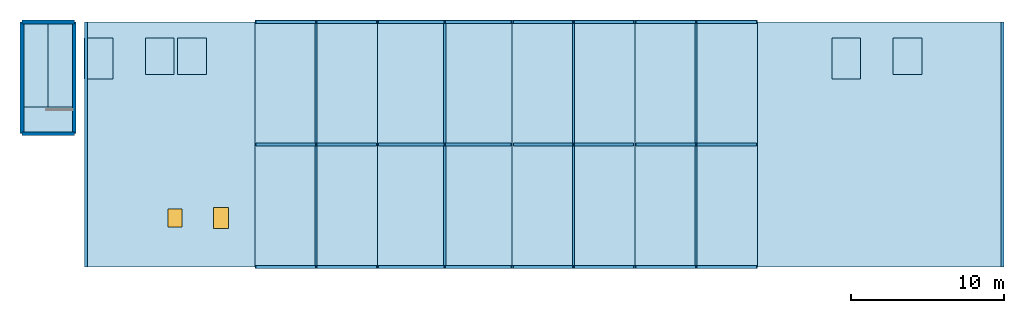
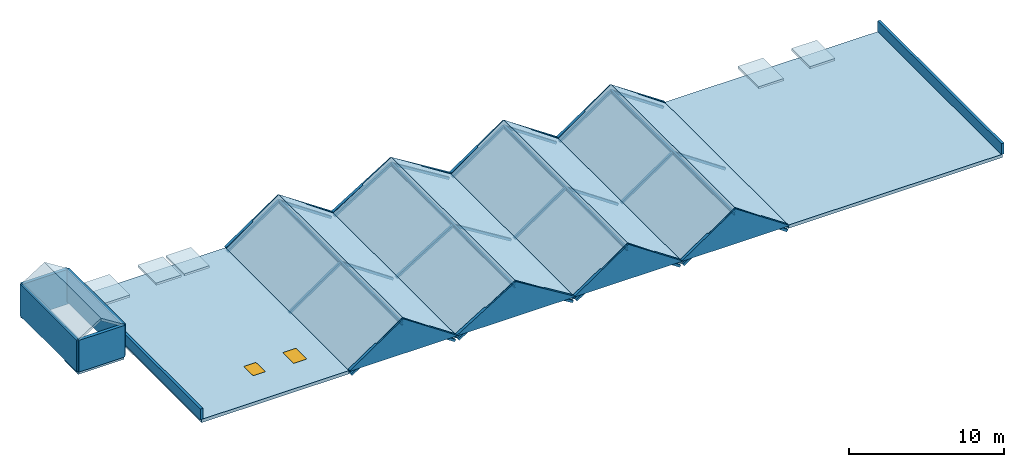
# One storey, part 1 of 2: 28 members, 18 slabs, 14 walls, 2 doors, 2 openings.
"""IFC4 building model written with IfcOpenShell, lengths in metres."""

from ifc_helpers import new_model, si_unit, direction, frame, frame_2d, origin, origin_2d, place, context, subcontext, project, spatial, polyline, rectangle, hollow_rectangle, i_section, outline, extrude, material, layer, layer_set, material_profile, profile_set, type_object, element, fill, save


model = new_model("IFC4")

# Units and contexts
model_context = context("Model", 3, precision=1e-05, world=origin(), true_north=direction((0.0, 1.0)))
body_context = subcontext(model_context, "Body", "Model", "MODEL_VIEW")
ifc_project = project(units=[si_unit("LENGTHUNIT", "METRE"), si_unit("AREAUNIT", "SQUARE_METRE"), si_unit("VOLUMEUNIT", "CUBIC_METRE"), si_unit("PLANEANGLEUNIT", "RADIAN"), si_unit("MASSUNIT", "GRAM", prefix="KILO")], contexts=[model_context])

# Site, building, storey
site_placement = place(None, origin())
site = spatial("IfcSite", under=ifc_project, at=site_placement, CompositionType="ELEMENT")
building_placement = place(site_placement, origin())
building = spatial("IfcBuilding", under=site, at=building_placement, Name="Tlaxcora Railside Police Headquarters", CompositionType="ELEMENT")
storey_placement = place(building_placement, frame((0.0, 0.0, 33.60009765625)))
storey = spatial("IfcBuildingStorey", under=building, at=storey_placement, Name="ROOF", CompositionType="ELEMENT", Elevation=33.60009765625)

# Members
ifc_material_1 = material(Name="Steel ASTM A992 Grade 50", Category="steel")
ifc_material_profile_1 = material_profile(ifc_material_1, i_section(OverallWidth=0.14599609375, OverallDepth=0.258056640625, WebThickness=0.006103515625, FlangeThickness=0.009033203125, at=origin_2d()), Name="W10X22")
ifc_profile_set_1 = profile_set([ifc_material_profile_1], Name="Steel ASTM A992 Grade 50")
member_type_1 = type_object("IfcMemberType", Name="Roof Purlin Member MB-93", PredefinedType="PURLIN", material=ifc_profile_set_1)
for number, where, z_axis, x_axis, name in (
    (1, (41.199951171875, 76.800048828125, 2.2998046875), (0.0, 1.0, 0.0), (-1.0, 0.0, 0.0), "V5 crest ridge purlin 1"),
    (2, (49.60009765625, 76.800048828125, 2.2998046875), (0.0, 1.0, 0.0), (-1.0, 0.0, 0.0), "V5 crest ridge purlin 2"),
    (3, (58.0, 76.800048828125, 2.2998046875), (0.0, 1.0, 0.0), (-1.0, 0.0, 0.0), "V5 crest ridge purlin 3"),
    (4, (66.0, 76.800048828125, 2.2998046875), (0.0, 1.0, 0.0), (-1.0, 0.0, 0.0), "V5 crest ridge purlin 4"),
):
    element("IfcMember", number, at=place(storey_placement, frame(where, z_axis=z_axis, x_axis=x_axis)), inside=storey, type_object=member_type_1, Name=name, PredefinedType="PURLIN", context=body_context, shape_type="SweptSolid", body=[
        extrude(i_section(OverallWidth=0.14599609375, OverallDepth=0.258056640625, WebThickness=0.006103515625, FlangeThickness=0.009033203125, at=origin_2d()), origin(), (0.0, 0.0, 1.0), 16.0),
    ])
ifc_material_profile_2 = material_profile(ifc_material_1, hollow_rectangle(XDim=0.179931640625, YDim=0.179931640625, WallThickness=0.010009765625, at=origin_2d()), Name="HSS180X180X10")
ifc_profile_set_2 = profile_set([ifc_material_profile_2], Name="Steel ASTM A992 Grade 50")
member_type_2 = type_object("IfcMemberType", Name="Truss Vertical Post MB-90", PredefinedType="POST", material=ifc_profile_set_2)
member_1_placement = place(storey_placement, frame((37.320068359375, 76.800048828125, -0.35009765625), z_axis=(0.825778552229, 0.0, 0.563994488163), x_axis=(0.0, 1.0, 0.0)))
element("IfcMember", 5, at=member_1_placement, inside=storey, type_object=member_type_2, Name="V5 crest rafter 1W", PredefinedType="POST", context=body_context, shape_type="SweptSolid", body=[
    extrude(hollow_rectangle(XDim=0.179931640625, YDim=0.179931640625, WallThickness=0.010009765625, at=origin_2d()), origin(), (0.0, 0.0, 1.0), 4.698486328125),
])
member_2_placement = place(storey_placement, frame((45.080078125, 76.800048828125, -0.35009765625), z_axis=(-0.825795079715, 0.0, 0.563970288506), x_axis=(0.0, -1.0, 0.0)))
element("IfcMember", 6, at=member_2_placement, inside=storey, type_object=member_type_2, Name="V5 crest rafter 1E", PredefinedType="POST", context=body_context, shape_type="SweptSolid", body=[
    extrude(hollow_rectangle(XDim=0.179931640625, YDim=0.179931640625, WallThickness=0.010009765625, at=origin_2d()), origin(), (0.0, 0.0, 1.0), 4.69873046875),
])
member_3_placement = place(storey_placement, frame((37.320068359375, 84.800048828125, -0.35009765625), z_axis=(0.825778552229, 0.0, 0.563994488163), x_axis=(0.0, 1.0, 0.0)))
element("IfcMember", 7, at=member_3_placement, inside=storey, type_object=member_type_2, Name="V5 crest rafter 1W", PredefinedType="POST", context=body_context, shape_type="SweptSolid", body=[
    extrude(hollow_rectangle(XDim=0.179931640625, YDim=0.179931640625, WallThickness=0.010009765625, at=origin_2d()), origin(), (0.0, 0.0, 1.0), 4.698486328125),
])
member_4_placement = place(storey_placement, frame((45.080078125, 84.800048828125, -0.35009765625), z_axis=(-0.825795079715, 0.0, 0.563970288506), x_axis=(0.0, -1.0, 0.0)))
element("IfcMember", 8, at=member_4_placement, inside=storey, type_object=member_type_2, Name="V5 crest rafter 1E", PredefinedType="POST", context=body_context, shape_type="SweptSolid", body=[
    extrude(hollow_rectangle(XDim=0.179931640625, YDim=0.179931640625, WallThickness=0.010009765625, at=origin_2d()), origin(), (0.0, 0.0, 1.0), 4.69873046875),
])
member_5_placement = place(storey_placement, frame((37.320068359375, 92.800048828125, -0.35009765625), z_axis=(0.825778552229, 0.0, 0.563994488163), x_axis=(0.0, 1.0, 0.0)))
element("IfcMember", 9, at=member_5_placement, inside=storey, type_object=member_type_2, Name="V5 crest rafter 1W", PredefinedType="POST", context=body_context, shape_type="SweptSolid", body=[
    extrude(hollow_rectangle(XDim=0.179931640625, YDim=0.179931640625, WallThickness=0.010009765625, at=origin_2d()), origin(), (0.0, 0.0, 1.0), 4.698486328125),
])
member_6_placement = place(storey_placement, frame((45.080078125, 92.800048828125, -0.35009765625), z_axis=(-0.825795079715, 0.0, 0.563970288506), x_axis=(0.0, -1.0, 0.0)))
element("IfcMember", 10, at=member_6_placement, inside=storey, type_object=member_type_2, Name="V5 crest rafter 1E", PredefinedType="POST", context=body_context, shape_type="SweptSolid", body=[
    extrude(hollow_rectangle(XDim=0.179931640625, YDim=0.179931640625, WallThickness=0.010009765625, at=origin_2d()), origin(), (0.0, 0.0, 1.0), 4.69873046875),
])
member_7_placement = place(storey_placement, frame((45.320068359375, 76.800048828125, -0.35009765625), z_axis=(0.850233104078, 0.0, 0.526406372236), x_axis=(0.0, 1.0, 0.0)))
element("IfcMember", 11, at=member_7_placement, inside=storey, type_object=member_type_2, Name="V5 crest rafter 2W", PredefinedType="POST", context=body_context, shape_type="SweptSolid", body=[
    extrude(hollow_rectangle(XDim=0.179931640625, YDim=0.179931640625, WallThickness=0.010009765625, at=origin_2d()), origin(), (0.0, 0.0, 1.0), 5.033935546875),
])
member_8_placement = place(storey_placement, frame((53.8798828125, 76.800048828125, -0.35009765625), z_axis=(-0.850219664041, 0.0, 0.526428079492), x_axis=(0.0, -1.0, 0.0)))
element("IfcMember", 12, at=member_8_placement, inside=storey, type_object=member_type_2, Name="V5 crest rafter 2E", PredefinedType="POST", context=body_context, shape_type="SweptSolid", body=[
    extrude(hollow_rectangle(XDim=0.179931640625, YDim=0.179931640625, WallThickness=0.010009765625, at=origin_2d()), origin(), (0.0, 0.0, 1.0), 5.03369140625),
])
member_9_placement = place(storey_placement, frame((45.320068359375, 84.800048828125, -0.35009765625), z_axis=(0.850233104078, 0.0, 0.526406372236), x_axis=(0.0, 1.0, 0.0)))
element("IfcMember", 13, at=member_9_placement, inside=storey, type_object=member_type_2, Name="V5 crest rafter 2W", PredefinedType="POST", context=body_context, shape_type="SweptSolid", body=[
    extrude(hollow_rectangle(XDim=0.179931640625, YDim=0.179931640625, WallThickness=0.010009765625, at=origin_2d()), origin(), (0.0, 0.0, 1.0), 5.033935546875),
])
member_10_placement = place(storey_placement, frame((53.8798828125, 84.800048828125, -0.35009765625), z_axis=(-0.850219664041, 0.0, 0.526428079492), x_axis=(0.0, -1.0, 0.0)))
element("IfcMember", 14, at=member_10_placement, inside=storey, type_object=member_type_2, Name="V5 crest rafter 2E", PredefinedType="POST", context=body_context, shape_type="SweptSolid", body=[
    extrude(hollow_rectangle(XDim=0.179931640625, YDim=0.179931640625, WallThickness=0.010009765625, at=origin_2d()), origin(), (0.0, 0.0, 1.0), 5.03369140625),
])
member_11_placement = place(storey_placement, frame((45.320068359375, 92.800048828125, -0.35009765625), z_axis=(0.850233104078, 0.0, 0.526406372236), x_axis=(0.0, 1.0, 0.0)))
element("IfcMember", 15, at=member_11_placement, inside=storey, type_object=member_type_2, Name="V5 crest rafter 2W", PredefinedType="POST", context=body_context, shape_type="SweptSolid", body=[
    extrude(hollow_rectangle(XDim=0.179931640625, YDim=0.179931640625, WallThickness=0.010009765625, at=origin_2d()), origin(), (0.0, 0.0, 1.0), 5.033935546875),
])
member_12_placement = place(storey_placement, frame((53.8798828125, 92.800048828125, -0.35009765625), z_axis=(-0.850219664041, 0.0, 0.526428079492), x_axis=(0.0, -1.0, 0.0)))
element("IfcMember", 16, at=member_12_placement, inside=storey, type_object=member_type_2, Name="V5 crest rafter 2E", PredefinedType="POST", context=body_context, shape_type="SweptSolid", body=[
    extrude(hollow_rectangle(XDim=0.179931640625, YDim=0.179931640625, WallThickness=0.010009765625, at=origin_2d()), origin(), (0.0, 0.0, 1.0), 5.03369140625),
])
for number, where, z_axis, x_axis, name in (
    (17, (54.1201171875, 76.800048828125, -0.35009765625), (0.825778552229, 0.0, 0.563994488163), (0.0, 1.0, 0.0), "V5 crest rafter 3W"),
    (18, (61.8798828125, 76.800048828125, -0.35009765625), (-0.825778552229, 0.0, 0.563994488163), (0.0, -1.0, 0.0), "V5 crest rafter 3E"),
    (19, (54.1201171875, 84.800048828125, -0.35009765625), (0.825778552229, 0.0, 0.563994488163), (0.0, 1.0, 0.0), "V5 crest rafter 3W"),
    (20, (61.8798828125, 84.800048828125, -0.35009765625), (-0.825778552229, 0.0, 0.563994488163), (0.0, -1.0, 0.0), "V5 crest rafter 3E"),
    (21, (54.1201171875, 92.800048828125, -0.35009765625), (0.825778552229, 0.0, 0.563994488163), (0.0, 1.0, 0.0), "V5 crest rafter 3W"),
    (22, (61.8798828125, 92.800048828125, -0.35009765625), (-0.825778552229, 0.0, 0.563994488163), (0.0, -1.0, 0.0), "V5 crest rafter 3E"),
    (23, (62.1201171875, 76.800048828125, -0.35009765625), (0.825778552229, 0.0, 0.563994488163), (0.0, 1.0, 0.0), "V5 crest rafter 4W"),
    (24, (69.8798828125, 76.800048828125, -0.35009765625), (-0.825778552229, 0.0, 0.563994488163), (0.0, -1.0, 0.0), "V5 crest rafter 4E"),
    (25, (62.1201171875, 84.800048828125, -0.35009765625), (0.825778552229, 0.0, 0.563994488163), (0.0, 1.0, 0.0), "V5 crest rafter 4W"),
    (26, (69.8798828125, 84.800048828125, -0.35009765625), (-0.825778552229, 0.0, 0.563994488163), (0.0, -1.0, 0.0), "V5 crest rafter 4E"),
    (27, (62.1201171875, 92.800048828125, -0.35009765625), (0.825778552229, 0.0, 0.563994488163), (0.0, 1.0, 0.0), "V5 crest rafter 4W"),
    (28, (69.8798828125, 92.800048828125, -0.35009765625), (-0.825778552229, 0.0, 0.563994488163), (0.0, -1.0, 0.0), "V5 crest rafter 4E"),
):
    element("IfcMember", number, at=place(storey_placement, frame(where, z_axis=z_axis, x_axis=x_axis)), inside=storey, type_object=member_type_2, Name=name, PredefinedType="POST", context=body_context, shape_type="SweptSolid", body=[
        extrude(hollow_rectangle(XDim=0.179931640625, YDim=0.179931640625, WallThickness=0.010009765625, at=origin_2d()), origin(), (0.0, 0.0, 1.0), 4.698486328125),
    ])

# Slabs
ifc_material_2 = material(Name="Concrete C40/50", Category="concrete")
ifc_layer_1 = layer(ifc_material_2, 0.2099609375, Name="Concrete C40/50")
ifc_layer_set_1 = layer_set([ifc_layer_1], Name="Concrete C40/50")
slab_type_1 = type_object("IfcSlabType", Name="Folded or Flat Roof Slab SL-40", PredefinedType="ROOF", material=ifc_layer_set_1)
slab_1_placement = place(storey_placement, frame((37.199951171875, 92.800048828125, 0.0), z_axis=(0.0, -1.0, 0.0), x_axis=(1.0, 0.0, 0.0)))
element("IfcSlab", 29, at=slab_1_placement, inside=storey, type_object=slab_type_1, Name="Operations crest roof 1 west facet", PredefinedType="ROOF", context=body_context, shape_type="SweptSolid", body=[
    extrude(outline(polyline([(0.0, -0.25634765625), (4.0, 2.54345703125), (4.0, 2.7998046875), (0.0, 0.0), (0.0, -0.25634765625)])), origin(), (0.0, 0.0, 1.0), 16.0),
])
slab_2_placement = place(storey_placement, frame((41.199951171875, 92.800048828125, 0.0), z_axis=(0.0, -1.0, 0.0), x_axis=(1.0, 0.0, 0.0)))
element("IfcSlab", 30, at=slab_2_placement, inside=storey, type_object=slab_type_1, Name="Operations crest roof 1 east facet", PredefinedType="ROOF", context=body_context, shape_type="SweptSolid", body=[
    extrude(outline(polyline([(0.0, 2.54345703125), (4.0, -0.25634765625), (4.0, 0.0), (0.0, 2.7998046875), (0.0, 2.54345703125)])), origin(), (0.0, 0.0, 1.0), 16.0),
])
slab_3_placement = place(storey_placement, frame((45.199951171875, 92.800048828125, 0.0), z_axis=(0.0, -1.0, 0.0), x_axis=(1.0, 0.0, 0.0)))
element("IfcSlab", 31, at=slab_3_placement, inside=storey, type_object=slab_type_1, Name="Operations crest roof 2 west facet", PredefinedType="ROOF", context=body_context, shape_type="SweptSolid", body=[
    extrude(outline(polyline([(0.0, -0.2490234375), (4.400146484375, 2.55078125), (4.400146484375, 2.7998046875), (0.0, 0.0), (0.0, -0.2490234375)])), origin(), (0.0, 0.0, 1.0), 16.0),
])
slab_4_placement = place(storey_placement, frame((49.60009765625, 92.800048828125, 0.0), z_axis=(0.0, -1.0, 0.0), x_axis=(1.0, 0.0, 0.0)))
element("IfcSlab", 32, at=slab_4_placement, inside=storey, type_object=slab_type_1, Name="Operations crest roof 2 east facet", PredefinedType="ROOF", context=body_context, shape_type="SweptSolid", body=[
    extrude(outline(polyline([(0.0, 2.55078125), (4.39990234375, -0.2490234375), (4.39990234375, 0.0), (0.0, 2.7998046875), (0.0, 2.55078125)])), origin(), (0.0, 0.0, 1.0), 16.0),
])
slab_5_placement = place(storey_placement, frame((54.0, 92.800048828125, 0.0), z_axis=(0.0, -1.0, 0.0), x_axis=(1.0, 0.0, 0.0)))
element("IfcSlab", 33, at=slab_5_placement, inside=storey, type_object=slab_type_1, Name="Operations crest roof 3 west facet", PredefinedType="ROOF", context=body_context, shape_type="SweptSolid", body=[
    extrude(outline(polyline([(0.0, -0.25634765625), (4.0, 2.54345703125), (4.0, 2.7998046875), (0.0, 0.0), (0.0, -0.25634765625)])), origin(), (0.0, 0.0, 1.0), 16.0),
])
slab_6_placement = place(storey_placement, frame((58.0, 92.800048828125, 0.0), z_axis=(0.0, -1.0, 0.0), x_axis=(1.0, 0.0, 0.0)))
element("IfcSlab", 34, at=slab_6_placement, inside=storey, type_object=slab_type_1, Name="Operations crest roof 3 east facet", PredefinedType="ROOF", context=body_context, shape_type="SweptSolid", body=[
    extrude(outline(polyline([(0.0, 2.54345703125), (4.0, -0.25634765625), (4.0, 0.0), (0.0, 2.7998046875), (0.0, 2.54345703125)])), origin(), (0.0, 0.0, 1.0), 16.0),
])
slab_7_placement = place(storey_placement, frame((62.0, 92.800048828125, 0.0), z_axis=(0.0, -1.0, 0.0), x_axis=(1.0, 0.0, 0.0)))
element("IfcSlab", 35, at=slab_7_placement, inside=storey, type_object=slab_type_1, Name="Operations crest roof 4 west facet", PredefinedType="ROOF", context=body_context, shape_type="SweptSolid", body=[
    extrude(outline(polyline([(0.0, -0.25634765625), (4.0, 2.54345703125), (4.0, 2.7998046875), (0.0, 0.0), (0.0, -0.25634765625)])), origin(), (0.0, 0.0, 1.0), 16.0),
])
slab_8_placement = place(storey_placement, frame((66.0, 92.800048828125, 0.0), z_axis=(0.0, -1.0, 0.0), x_axis=(1.0, 0.0, 0.0)))
element("IfcSlab", 36, at=slab_8_placement, inside=storey, type_object=slab_type_1, Name="Operations crest roof 4 east facet", PredefinedType="ROOF", context=body_context, shape_type="SweptSolid", body=[
    extrude(outline(polyline([(0.0, 2.54345703125), (4.0, -0.25634765625), (4.0, 0.0), (0.0, 2.7998046875), (0.0, 2.54345703125)])), origin(), (0.0, 0.0, 1.0), 16.0),
])
ifc_layer_2 = layer(ifc_material_2, 0.179931640625, Name="Concrete C40/50")
ifc_layer_set_2 = layer_set([ifc_layer_2], Name="Concrete C40/50")
slab_type_2 = type_object("IfcSlabType", Name="Folded or Flat Roof Slab SL-50", PredefinedType="ROOF", material=ifc_layer_set_2)
slab_9_placement = place(storey_placement, frame((22.0, 92.800048828125, 0.0), z_axis=(0.0, -1.0, 0.0), x_axis=(1.0, 0.0, 0.0)))
element("IfcSlab", 37, at=slab_9_placement, inside=storey, type_object=slab_type_2, Name="ST1 roof headhouse west gable facet", PredefinedType="ROOF", context=body_context, shape_type="SweptSolid", body=[
    extrude(outline(polyline([(0.0, 2.287109375), (1.7099609375, 3.366943359375), (1.7099609375, 3.579833984375), (0.0, 2.5), (0.0, 2.287109375)])), origin(), (0.0, 0.0, 1.0), 7.300048828125),
])
slab_10_placement = place(storey_placement, frame((23.7099609375, 92.800048828125, 0.0), z_axis=(0.0, -1.0, 0.0), x_axis=(1.0, 0.0, 0.0)))
element("IfcSlab", 38, at=slab_10_placement, inside=storey, type_object=slab_type_2, Name="ST1 roof headhouse east gable facet", PredefinedType="ROOF", context=body_context, shape_type="SweptSolid", body=[
    extrude(outline(polyline([(0.0, 3.366943359375), (1.7099609375, 2.287109375), (1.7099609375, 2.5), (0.0, 3.579833984375), (0.0, 3.366943359375)])), origin(), (0.0, 0.0, 1.0), 7.300048828125),
])
slab_11_placement = place(storey_placement, frame((0.0, 0.0, 1.599853515625)))
element("IfcSlab", 39, at=slab_11_placement, inside=storey, type_object=slab_type_2, Name="Lift FFL-01 shaft overrun cap slab", PredefinedType="ROOF", context=body_context, shape_type="SweptSolid", body=[
    extrude(outline(polyline([(26.06005859375, 89.06005859375), (27.93994140625, 89.06005859375), (27.93994140625, 91.739990234375), (26.06005859375, 91.739990234375), (26.06005859375, 89.06005859375)])), origin(), (0.0, 0.0, 1.0), 0.179931640625),
])
slab_12_placement = place(storey_placement, frame((0.0, 0.0, 1.599853515625)))
element("IfcSlab", 40, at=slab_12_placement, inside=storey, type_object=slab_type_2, Name="Lift PL-01 shaft overrun cap slab", PredefinedType="ROOF", context=body_context, shape_type="SweptSolid", body=[
    extrude(outline(polyline([(30.06005859375, 89.360107421875), (31.93994140625, 89.360107421875), (31.93994140625, 91.739990234375), (30.06005859375, 91.739990234375), (30.06005859375, 89.360107421875)])), origin(), (0.0, 0.0, 1.0), 0.179931640625),
])
slab_13_placement = place(storey_placement, frame((0.0, 0.0, 1.599853515625)))
element("IfcSlab", 41, at=slab_13_placement, inside=storey, type_object=slab_type_2, Name="Lift PL-02 shaft overrun cap slab", PredefinedType="ROOF", context=body_context, shape_type="SweptSolid", body=[
    extrude(outline(polyline([(32.159912109375, 89.360107421875), (34.0400390625, 89.360107421875), (34.0400390625, 91.739990234375), (32.159912109375, 91.739990234375), (32.159912109375, 89.360107421875)])), origin(), (0.0, 0.0, 1.0), 0.179931640625),
])
slab_14_placement = place(storey_placement, frame((0.0, 0.0, 1.599853515625)))
element("IfcSlab", 42, at=slab_14_placement, inside=storey, type_object=slab_type_2, Name="Lift FFL-02 shaft overrun cap slab", PredefinedType="ROOF", context=body_context, shape_type="SweptSolid", body=[
    extrude(outline(polyline([(74.860107421875, 89.06005859375), (76.739990234375, 89.06005859375), (76.739990234375, 91.739990234375), (74.860107421875, 91.739990234375), (74.860107421875, 89.06005859375)])), origin(), (0.0, 0.0, 1.0), 0.179931640625),
])
slab_15_placement = place(storey_placement, frame((0.0, 0.0, 1.599853515625)))
element("IfcSlab", 43, at=slab_15_placement, inside=storey, type_object=slab_type_2, Name="Lift PL-03 shaft overrun cap slab", PredefinedType="ROOF", context=body_context, shape_type="SweptSolid", body=[
    extrude(outline(polyline([(78.860107421875, 89.360107421875), (80.739990234375, 89.360107421875), (80.739990234375, 91.739990234375), (78.860107421875, 91.739990234375), (78.860107421875, 89.360107421875)])), origin(), (0.0, 0.0, 1.0), 0.179931640625),
])

# Slab, openings, doors
ifc_layer_3 = layer(ifc_material_2, 0.260009765625, Name="Concrete C40/50")
ifc_layer_set_3 = layer_set([ifc_layer_3], Name="Concrete C40/50")
slab_type_3 = type_object("IfcSlabType", Name="Folded or Flat Roof Slab SL-59", PredefinedType="ROOF", material=ifc_layer_set_3)
slab_16_placement = place(storey_placement, frame((0.0, 0.0, -0.260009765625)))
slab_16 = element("IfcSlab", 44, at=slab_16_placement, inside=storey, type_object=slab_type_3, Name="Operations west roof deck slab", PredefinedType="ROOF", context=body_context, shape_type="SweptSolid", body=[
    extrude(outline(polyline([(37.199951171875, 76.800048828125), (37.199951171875, 92.800048828125), (26.199951171875, 92.800048828125), (26.199951171875, 76.800048828125), (37.199951171875, 76.800048828125)])), origin(), (0.0, 0.0, 1.0), 0.260009765625),
])
opening_1_placement = place(slab_16_placement, frame((32.0, 80.0, -0.010009765625)))
opening_1 = element("IfcOpeningElement", 45, at=opening_1_placement, cuts=slab_16, Name="Opening RH-03", PredefinedType="OPENING", context=body_context, shape_type="SweptSolid", body=[
    extrude(rectangle(XDim=0.89990234375, YDim=1.199951171875, at=origin_2d()), origin(), (0.0, 0.0, 1.0), 0.280029296875),
])
opening_2_placement = place(slab_16_placement, frame((35.0, 80.0, -0.010009765625)))
opening_2 = element("IfcOpeningElement", 46, at=opening_2_placement, cuts=slab_16, Name="Opening RH-04", PredefinedType="OPENING", context=body_context, shape_type="SweptSolid", body=[
    extrude(rectangle(XDim=1.0, YDim=1.39990234375, at=origin_2d()), origin(), (0.0, 0.0, 1.0), 0.280029296875),
])
door_type_1 = type_object("IfcDoorType", Name="Roof Access Hatch Door ED-21", OperationType="NOTDEFINED", PredefinedType="TRAPDOOR", material=ifc_material_1)
door_1_placement = place(opening_1_placement, frame((0.0, 0.0, 0.219970703125)))
door_1 = element("IfcDoor", 47, at=door_1_placement, inside=storey, type_object=door_type_1, Name="Roof access hatch RH-03", OperationType="SINGLE_SWING_LEFT", OverallHeight=1.199951171875, OverallWidth=0.89990234375, PredefinedType="TRAPDOOR", context=body_context, shape_type="SweptSolid", body=[
    extrude(rectangle(XDim=0.89990234375, YDim=1.199951171875, at=origin_2d()), origin(), (0.0, 0.0, 1.0), 0.050048828125),
])
fill(opening_1, door_1)
door_type_2 = type_object("IfcDoorType", Name="Roof Access Hatch Door ED-83", OperationType="NOTDEFINED", PredefinedType="TRAPDOOR", material=ifc_material_1)
door_2_placement = place(opening_2_placement, frame((0.0, 0.0, 0.219970703125)))
door_2 = element("IfcDoor", 48, at=door_2_placement, inside=storey, type_object=door_type_2, Name="Roof access hatch RH-04", OperationType="SINGLE_SWING_LEFT", OverallHeight=1.39990234375, OverallWidth=1.0, PredefinedType="TRAPDOOR", context=body_context, shape_type="SweptSolid", body=[
    extrude(rectangle(XDim=1.0, YDim=1.39990234375, at=origin_2d()), origin(), (0.0, 0.0, 1.0), 0.050048828125),
])
fill(opening_2, door_2)

# Slabs
slab_17_placement = place(storey_placement, frame((0.0, 0.0, -0.260009765625)))
element("IfcSlab", 49, at=slab_17_placement, inside=storey, type_object=slab_type_3, Name="Operations east roof deck slab", PredefinedType="ROOF", context=body_context, shape_type="SweptSolid", body=[
    extrude(outline(polyline([(86.0, 76.800048828125), (86.0, 92.800048828125), (70.0, 92.800048828125), (70.0, 76.800048828125), (86.0, 76.800048828125)])), origin(), (0.0, 0.0, 1.0), 0.260009765625),
])
ifc_material_3 = material(Name="Concrete C35/45", Category="concrete")
ifc_layer_4 = layer(ifc_material_3, 0.199951171875, Name="Concrete C35/45")
ifc_layer_set_4 = layer_set([ifc_layer_4], Name="Concrete C35/45")
slab_type_4 = type_object("IfcSlabType", Name="Stair Landing Slab SL-23", PredefinedType="LANDING", material=ifc_layer_set_4)
slab_18_placement = place(storey_placement, frame((0.0, 0.0, -0.260009765625)))
element("IfcSlab", 50, at=slab_18_placement, inside=storey, type_object=slab_type_4, Name="ST1 roof headhouse landing slab", PredefinedType="LANDING", context=body_context, shape_type="SweptSolid", body=[
    extrude(outline(polyline([(25.419921875, 85.5), (25.419921875, 87.25), (22.0, 87.25), (22.0, 85.5), (25.419921875, 85.5)])), origin(), (0.0, 0.0, 1.0), 0.260009765625),
])

# Walls
ifc_material_4 = material(Name="Precast concrete C40/50", Category="concrete")
ifc_layer_5 = layer(ifc_material_4, 0.195068359375, Name="Precast concrete C40/50")
ifc_layer_set_5 = layer_set([ifc_layer_5], Name="Precast concrete C40/50")
wall_type_1 = type_object("IfcWallType", Name="Roof Parapet Wall EW-57", PredefinedType="PARAPET", material=ifc_layer_set_5)
for number, where, z_axis, x_axis, name in (
    (51, (26.199951171875, 76.800048828125, 0.0), (0.0, 0.0, 1.0), (0.0, 1.0, 0.0), "Roof parapet ROOF-07"),
    (52, (86.0, 76.800048828125, 0.0), (0.0, 0.0, 1.0), (0.0, 1.0, 0.0), "Roof parapet ROOF-08"),
):
    element("IfcWall", number, at=place(storey_placement, frame(where, z_axis=z_axis, x_axis=x_axis)), inside=storey, type_object=wall_type_1, Name=name, PredefinedType="PARAPET", context=body_context, shape_type="SweptSolid", body=[
        extrude(rectangle(XDim=16.0, YDim=0.195068359375, at=frame_2d((8.0, 0.0))), origin(), (0.0, 0.0, 1.0), 0.849853515625),
    ])
ifc_layer_6 = layer(ifc_material_4, 0.215087890625, Name="Precast concrete C40/50")
ifc_layer_set_6 = layer_set([ifc_layer_6], Name="Precast concrete C40/50")
wall_type_2 = type_object("IfcWallType", Name="Structural Bearing Wall EW-34", PredefinedType="SOLIDWALL", material=ifc_layer_set_6)
for number, where, z_axis, x_axis, name in (
    (53, (37.199951171875, 76.800048828125, 0.0), (0.0, 0.0, 1.0), (1.0, 0.0, 0.0), "V5 crest gable end wall S-1"),
    (54, (37.199951171875, 92.800048828125, 0.0), (0.0, 0.0, 1.0), (1.0, 0.0, 0.0), "V5 crest gable end wall N-1"),
):
    element("IfcWall", number, at=place(storey_placement, frame(where, z_axis=z_axis, x_axis=x_axis)), inside=storey, type_object=wall_type_2, Name=name, PredefinedType="SOLIDWALL", context=body_context, shape_type="SweptSolid", body=[
        extrude(outline(polyline([(0.0, 0.0), (8.0, 0.0), (8.0, 0.0498046875), (4.0, 2.75), (0.0, 0.0498046875), (0.0, 0.0)])), frame((0.0, 0.107421875, 0.0), z_axis=(0.0, -1.0, 0.0), x_axis=(1.0, 0.0, 0.0)), (0.0, 0.0, 1.0), 0.215087890625),
    ])
for number, where, z_axis, x_axis, name in (
    (55, (45.199951171875, 76.800048828125, 0.0), (0.0, 0.0, 1.0), (1.0, 0.0, 0.0), "V5 crest gable end wall S-2"),
    (56, (45.199951171875, 92.800048828125, 0.0), (0.0, 0.0, 1.0), (1.0, 0.0, 0.0), "V5 crest gable end wall N-2"),
):
    element("IfcWall", number, at=place(storey_placement, frame(where, z_axis=z_axis, x_axis=x_axis)), inside=storey, type_object=wall_type_2, Name=name, PredefinedType="SOLIDWALL", context=body_context, shape_type="SweptSolid", body=[
        extrude(outline(polyline([(0.0, 0.0), (8.800048828125, 0.0), (8.800048828125, 0.0498046875), (4.39990234375, 2.75), (0.0, 0.0498046875), (0.0, 0.0)])), frame((0.0, 0.107421875, 0.0), z_axis=(0.0, -1.0, 0.0), x_axis=(1.0, 0.0, 0.0)), (0.0, 0.0, 1.0), 0.215087890625),
    ])
for number, where, z_axis, x_axis, name in (
    (57, (54.0, 76.800048828125, 0.0), (0.0, 0.0, 1.0), (1.0, 0.0, 0.0), "V5 crest gable end wall S-3"),
    (58, (54.0, 92.800048828125, 0.0), (0.0, 0.0, 1.0), (1.0, 0.0, 0.0), "V5 crest gable end wall N-3"),
    (59, (62.0, 76.800048828125, 0.0), (0.0, 0.0, 1.0), (1.0, 0.0, 0.0), "V5 crest gable end wall S-4"),
    (60, (62.0, 92.800048828125, 0.0), (0.0, 0.0, 1.0), (1.0, 0.0, 0.0), "V5 crest gable end wall N-4"),
):
    element("IfcWall", number, at=place(storey_placement, frame(where, z_axis=z_axis, x_axis=x_axis)), inside=storey, type_object=wall_type_2, Name=name, PredefinedType="SOLIDWALL", context=body_context, shape_type="SweptSolid", body=[
        extrude(outline(polyline([(0.0, 0.0), (8.0, 0.0), (8.0, 0.0498046875), (4.0, 2.75), (0.0, 0.0498046875), (0.0, 0.0)])), frame((0.0, 0.107421875, 0.0), z_axis=(0.0, -1.0, 0.0), x_axis=(1.0, 0.0, 0.0)), (0.0, 0.0, 1.0), 0.215087890625),
    ])
ifc_layer_7 = layer(ifc_material_4, 0.2451171875, Name="Precast concrete C40/50")
ifc_layer_set_7 = layer_set([ifc_layer_7], Name="Precast concrete C40/50")
wall_type_3 = type_object("IfcWallType", Name="Structural Bearing Wall EW-94", PredefinedType="SOLIDWALL", material=ifc_layer_set_7)
wall_1_placement = place(storey_placement, frame((22.0, 85.5, 0.0), z_axis=(0.0, 0.0, 1.0), x_axis=(1.0, 0.0, 0.0)))
element("IfcWall", 61, at=wall_1_placement, inside=storey, type_object=wall_type_3, Name="ST1 roof headhouse wall S", PredefinedType="SOLIDWALL", context=body_context, shape_type="SweptSolid", body=[
    extrude(rectangle(XDim=3.419921875, YDim=0.2451171875, at=frame_2d((1.7099609375, 0.0))), origin(), (0.0, 0.0, 1.0), 2.5),
])
wall_2_placement = place(storey_placement, frame((25.419921875, 85.5, 0.0), z_axis=(0.0, 0.0, 1.0), x_axis=(0.0, 1.0, 0.0)))
element("IfcWall", 62, at=wall_2_placement, inside=storey, type_object=wall_type_3, Name="ST1 roof headhouse wall E", PredefinedType="SOLIDWALL", context=body_context, shape_type="SweptSolid", body=[
    extrude(rectangle(XDim=7.300048828125, YDim=0.2451171875, at=frame_2d((3.64990234375, 0.0))), origin(), (0.0, 0.0, 1.0), 2.5),
])
wall_3_placement = place(storey_placement, frame((25.419921875, 92.800048828125, -0.239990234375), z_axis=(0.0, 0.0, 1.0), x_axis=(-1.0, 0.0, 0.0)))
element("IfcWall", 63, at=wall_3_placement, inside=storey, type_object=wall_type_3, Name="ST1 roof headhouse wall N", PredefinedType="SOLIDWALL", context=body_context, shape_type="SweptSolid", body=[
    extrude(rectangle(XDim=3.419921875, YDim=0.2451171875, at=frame_2d((1.7099609375, 0.0))), origin(), (0.0, 0.0, 1.0), 2.739990234375),
])
wall_4_placement = place(storey_placement, frame((22.0, 92.800048828125, 0.0), z_axis=(0.0, 0.0, 1.0), x_axis=(0.0, -1.0, 0.0)))
element("IfcWall", 64, at=wall_4_placement, inside=storey, type_object=wall_type_3, Name="ST1 roof headhouse wall W", PredefinedType="SOLIDWALL", context=body_context, shape_type="SweptSolid", body=[
    extrude(rectangle(XDim=7.300048828125, YDim=0.2451171875, at=frame_2d((3.64990234375, 0.0))), origin(), (0.0, 0.0, 1.0), 2.5),
])

save(model, "model.ifc")
